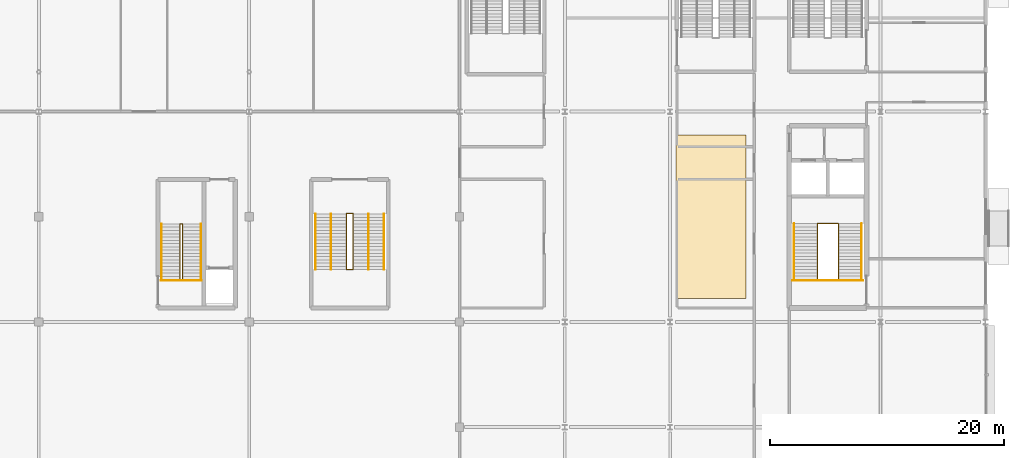
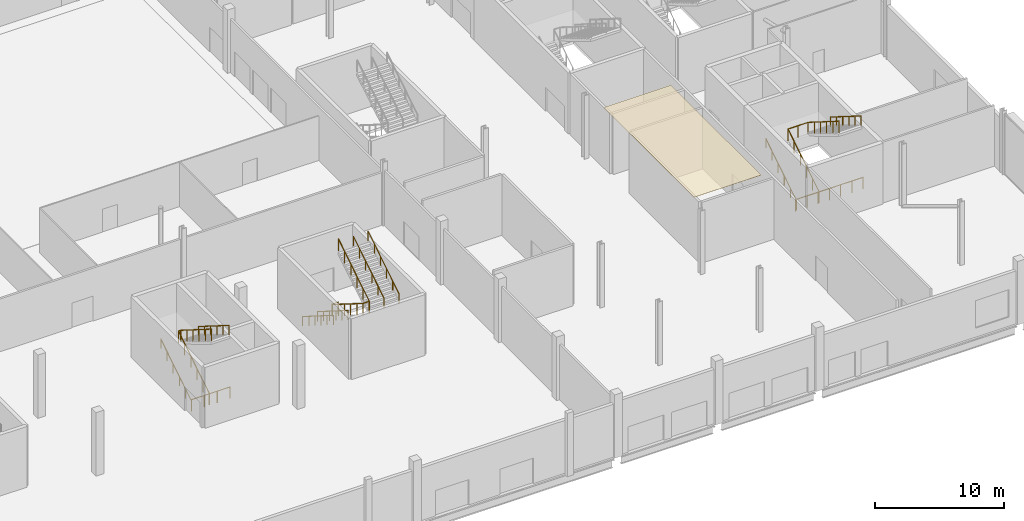
# One storey, part 77 of 84: 14 railings, 1 covering.
"""IFC4 building model written with IfcOpenShell, lengths in metres."""

from ifc_helpers import new_model, si_unit, direction, frame, origin, origin_2d, place, context, subcontext, project, spatial, polyline, circle, outline, extrude, material, layer, layer_set, type_object, element, save


model = new_model("IFC4")

# Units and contexts
model_context = context("Model", 3, precision=1e-05, world=origin(), true_north=direction((0.0, 1.0)))
body_context = subcontext(model_context, "Body", "Model", "MODEL_VIEW")
ifc_project = project(units=[si_unit("LENGTHUNIT", "METRE"), si_unit("AREAUNIT", "SQUARE_METRE"), si_unit("VOLUMEUNIT", "CUBIC_METRE"), si_unit("PLANEANGLEUNIT", "RADIAN"), si_unit("MASSUNIT", "GRAM", prefix="KILO")], contexts=[model_context])

# Site, building, storey
site_placement = place(None, origin())
site = spatial("IfcSite", under=ifc_project, at=site_placement, CompositionType="ELEMENT")
building_placement = place(site_placement, origin())
building = spatial("IfcBuilding", under=site, at=building_placement, Name="Kisiwana Market Hall", CompositionType="ELEMENT")
storey_placement = place(building_placement, origin())
storey = spatial("IfcBuildingStorey", under=building, at=storey_placement, Name="L00", CompositionType="ELEMENT", Elevation=0.0)

# Covering
ifc_material_1 = material(Name="Mineral-fibre acoustic ceiling board")
ifc_layer = layer(ifc_material_1, 0.02490234375)
ifc_layer_set = layer_set([ifc_layer], Name="COV-CEIL-AC")
covering_type = type_object("IfcCoveringType", Name="COV-CEIL-AC", PredefinedType="CEILING", material=ifc_layer_set)
covering_placement = place(storey_placement, frame((0.0, 0.0, 5.72509765625)))
element("IfcCovering", 1, at=covering_placement, inside=storey, type_object=covering_type, Name="Acoustic ceiling grid L00-005", PredefinedType="CEILING", context=body_context, shape_type="SweptSolid", body=[
    extrude(outline(polyline([(171.5, 20.0), (177.5, 20.0), (177.5, 34.0), (171.5, 34.0), (171.5, 20.0)])), origin(), (0.0, 0.0, 1.0), 0.02490234375),
])

# Railings
ifc_material_2 = material(Name="Steel S275", Category="steel")
railing_type_1 = type_object("IfcRailingType", Name="RL-GUARD-1100", PredefinedType="GUARDRAIL", material=ifc_material_2)
railing_1_placement = place(storey_placement, frame((183.60009765625, 21.6494140625, 0.0)))
element("IfcRailing", 2, at=railing_1_placement, inside=storey, type_object=railing_type_1, Name="Stair ST-E2-L00 inner-well guardrail (RL-155)", PredefinedType="GUARDRAIL", context=body_context, shape_type="SweptSolid", body=[
    extrude(circle(Radius=0.02392578125, at=origin_2d()), frame((0.0, 0.0, 1.076171875), z_axis=(0.0, 0.845995810448, 0.533189542944), x_axis=(-1.0, 0.0, 0.0)), (0.0, 0.0, 1.0), 5.62646484375),
    extrude(circle(Radius=0.02392578125, at=origin_2d()), frame((0.0, 4.760009765625, 4.076171875), z_axis=(1.0, 0.0, 0.0), x_axis=(0.0, 1.0, 0.0)), (0.0, 0.0, 1.0), 1.7998046875),
    extrude(circle(Radius=0.02392578125, at=origin_2d()), frame((1.7998046875, 4.760009765625, 4.076171875), z_axis=(0.0, -0.845995810448, 0.533189542944), x_axis=(1.0, 0.0, 0.0)), (0.0, 0.0, 1.0), 5.62646484375),
    extrude(circle(Radius=0.02099609375, at=origin_2d()), origin(), (0.0, 0.0, 1.0), 1.052001953125),
    extrude(circle(Radius=0.02099609375, at=origin_2d()), frame((0.0, 0.951904296875, 0.60009765625)), (0.0, 0.0, 1.0), 1.052001953125),
    extrude(circle(Radius=0.02099609375, at=origin_2d()), frame((0.0, 1.904052734375, 1.199951171875)), (0.0, 0.0, 1.0), 1.052001953125),
    extrude(circle(Radius=0.02099609375, at=origin_2d()), frame((0.0, 2.85595703125, 1.800048828125)), (0.0, 0.0, 1.0), 1.052001953125),
    extrude(circle(Radius=0.02099609375, at=origin_2d()), frame((0.0, 3.80810546875, 2.39990234375)), (0.0, 0.0, 1.0), 1.052001953125),
    extrude(circle(Radius=0.02099609375, at=origin_2d()), frame((0.0, 4.760009765625, 3.0)), (0.0, 0.0, 1.0), 1.052001953125),
    extrude(circle(Radius=0.02099609375, at=origin_2d()), frame((0.89990234375, 4.760009765625, 3.0)), (0.0, 0.0, 1.0), 1.052001953125),
    extrude(circle(Radius=0.02099609375, at=origin_2d()), frame((1.7998046875, 4.760009765625, 3.0)), (0.0, 0.0, 1.0), 1.052001953125),
    extrude(circle(Radius=0.02099609375, at=origin_2d()), frame((1.7998046875, 3.80810546875, 3.60009765625)), (0.0, 0.0, 1.0), 1.052001953125),
    extrude(circle(Radius=0.02099609375, at=origin_2d()), frame((1.7998046875, 2.85595703125, 4.199951171875)), (0.0, 0.0, 1.0), 1.052001953125),
    extrude(circle(Radius=0.02099609375, at=origin_2d()), frame((1.7998046875, 1.904052734375, 4.800048828125)), (0.0, 0.0, 1.0), 1.052001953125),
    extrude(circle(Radius=0.02099609375, at=origin_2d()), frame((1.7998046875, 0.951904296875, 5.39990234375)), (0.0, 0.0, 1.0), 1.052001953125),
    extrude(circle(Radius=0.02099609375, at=origin_2d()), frame((1.7998046875, 0.0, 6.0)), (0.0, 0.0, 1.0), 1.052001953125),
])
railing_2_placement = place(storey_placement, frame((181.47998046875, 21.569580078125, 0.0)))
element("IfcRailing", 3, at=railing_2_placement, inside=storey, type_object=railing_type_1, Name="Stair ST-E2-L00 landing edge guardrail (RL-158)", PredefinedType="GUARDRAIL", context=body_context, shape_type="SweptSolid", body=[
    extrude(circle(Radius=0.02392578125, at=origin_2d()), frame((0.0, 0.0, 1.076171875), z_axis=(1.0, 0.0, 0.0), x_axis=(0.0, 1.0, 0.0)), (0.0, 0.0, 1.0), 6.0400390625),
    extrude(circle(Radius=0.02099609375, at=origin_2d()), origin(), (0.0, 0.0, 1.0), 1.052001953125),
    extrude(circle(Radius=0.02099609375, at=origin_2d()), frame((1.006591796875, 0.0, 0.0)), (0.0, 0.0, 1.0), 1.052001953125),
    extrude(circle(Radius=0.02099609375, at=origin_2d()), frame((2.013427734375, 0.0, 0.0)), (0.0, 0.0, 1.0), 1.052001953125),
    extrude(circle(Radius=0.02099609375, at=origin_2d()), frame((3.02001953125, 0.0, 0.0)), (0.0, 0.0, 1.0), 1.052001953125),
    extrude(circle(Radius=0.02099609375, at=origin_2d()), frame((4.026611328125, 0.0, 0.0)), (0.0, 0.0, 1.0), 1.052001953125),
    extrude(circle(Radius=0.02099609375, at=origin_2d()), frame((5.033447265625, 0.0, 0.0)), (0.0, 0.0, 1.0), 1.052001953125),
    extrude(circle(Radius=0.02099609375, at=origin_2d()), frame((6.0400390625, 0.0, 0.0)), (0.0, 0.0, 1.0), 1.052001953125),
])
railing_3_placement = place(storey_placement, frame((129.080078125, 21.62939453125, 0.0)))
element("IfcRailing", 4, at=railing_3_placement, inside=storey, type_object=railing_type_1, Name="Stair ST-S2-L00 inner-well guardrail (RL-167)", PredefinedType="GUARDRAIL", context=body_context, shape_type="SweptSolid", body=[
    extrude(circle(Radius=0.02392578125, at=origin_2d()), frame((0.0, 0.0, 1.076171875), z_axis=(0.0, 0.845995810448, 0.533189542944), x_axis=(-1.0, 0.0, 0.0)), (0.0, 0.0, 1.0), 5.62646484375),
    extrude(circle(Radius=0.02392578125, at=origin_2d()), frame((0.0, 4.760009765625, 4.076171875), z_axis=(1.0, 0.0, 0.0), x_axis=(0.0, 1.0, 0.0)), (0.0, 0.0, 1.0), 0.199951171875),
    extrude(circle(Radius=0.02392578125, at=origin_2d()), frame((0.199951171875, 4.760009765625, 4.076171875), z_axis=(0.0, -0.845995810448, 0.533189542944), x_axis=(1.0, 0.0, 0.0)), (0.0, 0.0, 1.0), 5.62646484375),
    extrude(circle(Radius=0.02099609375, at=origin_2d()), origin(), (0.0, 0.0, 1.0), 1.052001953125),
    extrude(circle(Radius=0.02099609375, at=origin_2d()), frame((0.0, 0.951904296875, 0.60009765625)), (0.0, 0.0, 1.0), 1.052001953125),
    extrude(circle(Radius=0.02099609375, at=origin_2d()), frame((0.0, 1.904052734375, 1.199951171875)), (0.0, 0.0, 1.0), 1.052001953125),
    extrude(circle(Radius=0.02099609375, at=origin_2d()), frame((0.0, 2.85595703125, 1.800048828125)), (0.0, 0.0, 1.0), 1.052001953125),
    extrude(circle(Radius=0.02099609375, at=origin_2d()), frame((0.0, 3.80810546875, 2.39990234375)), (0.0, 0.0, 1.0), 1.052001953125),
    extrude(circle(Radius=0.02099609375, at=origin_2d()), frame((0.0, 4.760009765625, 3.0)), (0.0, 0.0, 1.0), 1.052001953125),
    extrude(circle(Radius=0.02099609375, at=origin_2d()), frame((0.199951171875, 4.760009765625, 3.0)), (0.0, 0.0, 1.0), 1.052001953125),
    extrude(circle(Radius=0.02099609375, at=origin_2d()), frame((0.199951171875, 3.80810546875, 3.60009765625)), (0.0, 0.0, 1.0), 1.052001953125),
    extrude(circle(Radius=0.02099609375, at=origin_2d()), frame((0.199951171875, 2.85595703125, 4.199951171875)), (0.0, 0.0, 1.0), 1.052001953125),
    extrude(circle(Radius=0.02099609375, at=origin_2d()), frame((0.199951171875, 1.904052734375, 4.800048828125)), (0.0, 0.0, 1.0), 1.052001953125),
    extrude(circle(Radius=0.02099609375, at=origin_2d()), frame((0.199951171875, 0.951904296875, 5.39990234375)), (0.0, 0.0, 1.0), 1.052001953125),
    extrude(circle(Radius=0.02099609375, at=origin_2d()), frame((0.199951171875, 0.0, 6.0)), (0.0, 0.0, 1.0), 1.052001953125),
])
railing_4_placement = place(storey_placement, frame((127.43994140625, 21.569580078125, 0.0)))
element("IfcRailing", 5, at=railing_4_placement, inside=storey, type_object=railing_type_1, Name="Stair ST-S2-L00 landing edge guardrail (RL-170)", PredefinedType="GUARDRAIL", context=body_context, shape_type="SweptSolid", body=[
    extrude(circle(Radius=0.02392578125, at=origin_2d()), frame((0.0, 0.0, 1.076171875), z_axis=(1.0, 0.0, 0.0), x_axis=(0.0, 1.0, 0.0)), (0.0, 0.0, 1.0), 3.47998046875),
    extrude(circle(Radius=0.02099609375, at=origin_2d()), origin(), (0.0, 0.0, 1.0), 1.052001953125),
    extrude(circle(Radius=0.02099609375, at=origin_2d()), frame((1.159912109375, 0.0, 0.0)), (0.0, 0.0, 1.0), 1.052001953125),
    extrude(circle(Radius=0.02099609375, at=origin_2d()), frame((2.320068359375, 0.0, 0.0)), (0.0, 0.0, 1.0), 1.052001953125),
    extrude(circle(Radius=0.02099609375, at=origin_2d()), frame((3.47998046875, 0.0, 0.0)), (0.0, 0.0, 1.0), 1.052001953125),
])
railing_5_placement = place(storey_placement, frame((143.320068359375, 27.239990234375, 0.0)))
element("IfcRailing", 6, at=railing_5_placement, inside=storey, type_object=railing_type_1, Name="Stair ST-S6-L00 inner-well guardrail (RL-299)", PredefinedType="GUARDRAIL", context=body_context, shape_type="SweptSolid", body=[
    extrude(circle(Radius=0.02392578125, at=origin_2d()), frame((0.0, 0.0, 1.076171875), z_axis=(0.0, -0.845995810448, 0.533189542944), x_axis=(1.0, 0.0, 0.0)), (0.0, 0.0, 1.0), 5.62646484375),
    extrude(circle(Radius=0.02392578125, at=origin_2d()), frame((0.0, -4.760009765625, 4.076171875), z_axis=(1.0, 0.0, 0.0), x_axis=(0.0, 1.0, 0.0)), (0.0, 0.0, 1.0), 0.559814453125),
    extrude(circle(Radius=0.02392578125, at=origin_2d()), frame((0.559814453125, -4.760009765625, 4.076171875), z_axis=(0.0, 0.845995810448, 0.533189542944), x_axis=(-1.0, 0.0, 0.0)), (0.0, 0.0, 1.0), 5.62646484375),
    extrude(circle(Radius=0.02099609375, at=origin_2d()), origin(), (0.0, 0.0, 1.0), 1.052001953125),
    extrude(circle(Radius=0.02099609375, at=origin_2d()), frame((0.0, -0.951904296875, 0.60009765625)), (0.0, 0.0, 1.0), 1.052001953125),
    extrude(circle(Radius=0.02099609375, at=origin_2d()), frame((0.0, -1.904052734375, 1.199951171875)), (0.0, 0.0, 1.0), 1.052001953125),
    extrude(circle(Radius=0.02099609375, at=origin_2d()), frame((0.0, -2.85595703125, 1.800048828125)), (0.0, 0.0, 1.0), 1.052001953125),
    extrude(circle(Radius=0.02099609375, at=origin_2d()), frame((0.0, -3.80810546875, 2.39990234375)), (0.0, 0.0, 1.0), 1.052001953125),
    extrude(circle(Radius=0.02099609375, at=origin_2d()), frame((0.0, -4.760009765625, 3.0)), (0.0, 0.0, 1.0), 1.052001953125),
    extrude(circle(Radius=0.02099609375, at=origin_2d()), frame((0.559814453125, -4.760009765625, 3.0)), (0.0, 0.0, 1.0), 1.052001953125),
    extrude(circle(Radius=0.02099609375, at=origin_2d()), frame((0.559814453125, -3.80810546875, 3.60009765625)), (0.0, 0.0, 1.0), 1.052001953125),
    extrude(circle(Radius=0.02099609375, at=origin_2d()), frame((0.559814453125, -2.85595703125, 4.199951171875)), (0.0, 0.0, 1.0), 1.052001953125),
    extrude(circle(Radius=0.02099609375, at=origin_2d()), frame((0.559814453125, -1.904052734375, 4.800048828125)), (0.0, 0.0, 1.0), 1.052001953125),
    extrude(circle(Radius=0.02099609375, at=origin_2d()), frame((0.559814453125, -0.951904296875, 5.39990234375)), (0.0, 0.0, 1.0), 1.052001953125),
    extrude(circle(Radius=0.02099609375, at=origin_2d()), frame((0.559814453125, 0.0, 6.0)), (0.0, 0.0, 1.0), 1.052001953125),
])
railing_6_placement = place(storey_placement, frame((143.320068359375, 27.2900390625, 0.0)))
element("IfcRailing", 7, at=railing_6_placement, inside=storey, type_object=railing_type_1, Name="Stair ST-S6-L00 landing edge guardrail (RL-304)", PredefinedType="GUARDRAIL", context=body_context, shape_type="SweptSolid", body=[
    extrude(circle(Radius=0.02392578125, at=origin_2d()), frame((0.0, 0.0, 1.076171875), z_axis=(1.0, 0.0, 0.0), x_axis=(0.0, 1.0, 0.0)), (0.0, 0.0, 1.0), 0.559814453125),
    extrude(circle(Radius=0.02099609375, at=origin_2d()), origin(), (0.0, 0.0, 1.0), 1.052001953125),
    extrude(circle(Radius=0.02099609375, at=origin_2d()), frame((0.559814453125, 0.0, 0.0)), (0.0, 0.0, 1.0), 1.052001953125),
])
ifc_material_3 = material(Name="Steel S275", Category="steel")
railing_type_2 = type_object("IfcRailingType", Name="RL-HAND-900", PredefinedType="HANDRAIL", material=ifc_material_3)
railing_7_placement = place(storey_placement, frame((181.610107421875, 21.6494140625, 0.0)))
element("IfcRailing", 8, at=railing_7_placement, inside=storey, type_object=railing_type_2, Name="Stair ST-E2-L00 flight 1 handrail (RL-156)", PredefinedType="HANDRAIL", context=body_context, shape_type="SweptSolid", body=[
    extrude(circle(Radius=0.02392578125, at=origin_2d()), frame((0.0, 0.0, 0.8759765625), z_axis=(0.0, 0.845995810448, 0.533189542944), x_axis=(-1.0, 0.0, 0.0)), (0.0, 0.0, 1.0), 5.62646484375),
    extrude(circle(Radius=0.02099609375, at=origin_2d()), origin(), (0.0, 0.0, 1.0), 0.851806640625),
    extrude(circle(Radius=0.02099609375, at=origin_2d()), frame((0.0, 0.951904296875, 0.60009765625)), (0.0, 0.0, 1.0), 0.851806640625),
    extrude(circle(Radius=0.02099609375, at=origin_2d()), frame((0.0, 1.904052734375, 1.199951171875)), (0.0, 0.0, 1.0), 0.851806640625),
    extrude(circle(Radius=0.02099609375, at=origin_2d()), frame((0.0, 2.85595703125, 1.800048828125)), (0.0, 0.0, 1.0), 0.851806640625),
    extrude(circle(Radius=0.02099609375, at=origin_2d()), frame((0.0, 3.80810546875, 2.39990234375)), (0.0, 0.0, 1.0), 0.851806640625),
    extrude(circle(Radius=0.02099609375, at=origin_2d()), frame((0.0, 4.760009765625, 3.0)), (0.0, 0.0, 1.0), 0.851806640625),
])
railing_8_placement = place(storey_placement, frame((187.389892578125, 26.409423828125, 3.0)))
element("IfcRailing", 9, at=railing_8_placement, inside=storey, type_object=railing_type_2, Name="Stair ST-E2-L00 flight 2 handrail (RL-157)", PredefinedType="HANDRAIL", context=body_context, shape_type="SweptSolid", body=[
    extrude(circle(Radius=0.02392578125, at=origin_2d()), frame((0.0, 0.0, 0.8759765625), z_axis=(0.0, -0.845995810448, 0.533189542944), x_axis=(1.0, 0.0, 0.0)), (0.0, 0.0, 1.0), 5.62646484375),
    extrude(circle(Radius=0.02099609375, at=origin_2d()), origin(), (0.0, 0.0, 1.0), 0.851806640625),
    extrude(circle(Radius=0.02099609375, at=origin_2d()), frame((0.0, -0.951904296875, 0.60009765625)), (0.0, 0.0, 1.0), 0.851806640625),
    extrude(circle(Radius=0.02099609375, at=origin_2d()), frame((0.0, -1.904052734375, 1.199951171875)), (0.0, 0.0, 1.0), 0.851806640625),
    extrude(circle(Radius=0.02099609375, at=origin_2d()), frame((0.0, -2.85595703125, 1.800048828125)), (0.0, 0.0, 1.0), 0.851806640625),
    extrude(circle(Radius=0.02099609375, at=origin_2d()), frame((0.0, -3.80810546875, 2.39990234375)), (0.0, 0.0, 1.0), 0.851806640625),
    extrude(circle(Radius=0.02099609375, at=origin_2d()), frame((0.0, -4.760009765625, 3.0)), (0.0, 0.0, 1.0), 0.851806640625),
])
railing_9_placement = place(storey_placement, frame((127.5, 21.62939453125, 0.0)))
element("IfcRailing", 10, at=railing_9_placement, inside=storey, type_object=railing_type_2, Name="Stair ST-S2-L00 flight 1 handrail (RL-168)", PredefinedType="HANDRAIL", context=body_context, shape_type="SweptSolid", body=[
    extrude(circle(Radius=0.02392578125, at=origin_2d()), frame((0.0, 0.0, 0.8759765625), z_axis=(0.0, 0.845995810448, 0.533189542944), x_axis=(-1.0, 0.0, 0.0)), (0.0, 0.0, 1.0), 5.62646484375),
    extrude(circle(Radius=0.02099609375, at=origin_2d()), origin(), (0.0, 0.0, 1.0), 0.851806640625),
    extrude(circle(Radius=0.02099609375, at=origin_2d()), frame((0.0, 0.951904296875, 0.60009765625)), (0.0, 0.0, 1.0), 0.851806640625),
    extrude(circle(Radius=0.02099609375, at=origin_2d()), frame((0.0, 1.904052734375, 1.199951171875)), (0.0, 0.0, 1.0), 0.851806640625),
    extrude(circle(Radius=0.02099609375, at=origin_2d()), frame((0.0, 2.85595703125, 1.800048828125)), (0.0, 0.0, 1.0), 0.851806640625),
    extrude(circle(Radius=0.02099609375, at=origin_2d()), frame((0.0, 3.80810546875, 2.39990234375)), (0.0, 0.0, 1.0), 0.851806640625),
    extrude(circle(Radius=0.02099609375, at=origin_2d()), frame((0.0, 4.760009765625, 3.0)), (0.0, 0.0, 1.0), 0.851806640625),
])
for number, where, name in (
    (11, (130.860107421875, 26.389404296875, 3.0), "Stair ST-S2-L00 flight 2 handrail (RL-169)"),
    (12, (140.669921875, 27.239990234375, 0.0), "Stair ST-S6-L00 flight 1 handrail (RL-300)"),
):
    element("IfcRailing", number, at=place(storey_placement, frame(where)), inside=storey, type_object=railing_type_2, Name=name, PredefinedType="HANDRAIL", context=body_context, shape_type="SweptSolid", body=[
        extrude(circle(Radius=0.02392578125, at=origin_2d()), frame((0.0, 0.0, 0.8759765625), z_axis=(0.0, -0.845995810448, 0.533189542944), x_axis=(1.0, 0.0, 0.0)), (0.0, 0.0, 1.0), 5.62646484375),
        extrude(circle(Radius=0.02099609375, at=origin_2d()), origin(), (0.0, 0.0, 1.0), 0.851806640625),
        extrude(circle(Radius=0.02099609375, at=origin_2d()), frame((0.0, -0.951904296875, 0.60009765625)), (0.0, 0.0, 1.0), 0.851806640625),
        extrude(circle(Radius=0.02099609375, at=origin_2d()), frame((0.0, -1.904052734375, 1.199951171875)), (0.0, 0.0, 1.0), 0.851806640625),
        extrude(circle(Radius=0.02099609375, at=origin_2d()), frame((0.0, -2.85595703125, 1.800048828125)), (0.0, 0.0, 1.0), 0.851806640625),
        extrude(circle(Radius=0.02099609375, at=origin_2d()), frame((0.0, -3.80810546875, 2.39990234375)), (0.0, 0.0, 1.0), 0.851806640625),
        extrude(circle(Radius=0.02099609375, at=origin_2d()), frame((0.0, -4.760009765625, 3.0)), (0.0, 0.0, 1.0), 0.851806640625),
    ])
railing_10_placement = place(storey_placement, frame((146.530029296875, 22.47998046875, 3.0)))
element("IfcRailing", 13, at=railing_10_placement, inside=storey, type_object=railing_type_2, Name="Stair ST-S6-L00 flight 2 handrail (RL-301)", PredefinedType="HANDRAIL", context=body_context, shape_type="SweptSolid", body=[
    extrude(circle(Radius=0.02392578125, at=origin_2d()), frame((0.0, 0.0, 0.8759765625), z_axis=(0.0, 0.845995810448, 0.533189542944), x_axis=(-1.0, 0.0, 0.0)), (0.0, 0.0, 1.0), 5.62646484375),
    extrude(circle(Radius=0.02099609375, at=origin_2d()), origin(), (0.0, 0.0, 1.0), 0.851806640625),
    extrude(circle(Radius=0.02099609375, at=origin_2d()), frame((0.0, 0.951904296875, 0.60009765625)), (0.0, 0.0, 1.0), 0.851806640625),
    extrude(circle(Radius=0.02099609375, at=origin_2d()), frame((0.0, 1.904052734375, 1.199951171875)), (0.0, 0.0, 1.0), 0.851806640625),
    extrude(circle(Radius=0.02099609375, at=origin_2d()), frame((0.0, 2.85595703125, 1.800048828125)), (0.0, 0.0, 1.0), 0.851806640625),
    extrude(circle(Radius=0.02099609375, at=origin_2d()), frame((0.0, 3.80810546875, 2.39990234375)), (0.0, 0.0, 1.0), 0.851806640625),
    extrude(circle(Radius=0.02099609375, at=origin_2d()), frame((0.0, 4.760009765625, 3.0)), (0.0, 0.0, 1.0), 0.851806640625),
])
railing_11_placement = place(storey_placement, frame((141.989990234375, 27.239990234375, 0.0)))
element("IfcRailing", 14, at=railing_11_placement, inside=storey, type_object=railing_type_2, Name="Stair ST-S6-L00 flight 1 intermediate handrail (RL-302)", PredefinedType="HANDRAIL", context=body_context, shape_type="SweptSolid", body=[
    extrude(circle(Radius=0.02392578125, at=origin_2d()), frame((0.0, 0.0, 0.8759765625), z_axis=(0.0, -0.845995810448, 0.533189542944), x_axis=(1.0, 0.0, 0.0)), (0.0, 0.0, 1.0), 5.62646484375),
    extrude(circle(Radius=0.02099609375, at=origin_2d()), origin(), (0.0, 0.0, 1.0), 0.851806640625),
    extrude(circle(Radius=0.02099609375, at=origin_2d()), frame((0.0, -0.951904296875, 0.60009765625)), (0.0, 0.0, 1.0), 0.851806640625),
    extrude(circle(Radius=0.02099609375, at=origin_2d()), frame((0.0, -1.904052734375, 1.199951171875)), (0.0, 0.0, 1.0), 0.851806640625),
    extrude(circle(Radius=0.02099609375, at=origin_2d()), frame((0.0, -2.85595703125, 1.800048828125)), (0.0, 0.0, 1.0), 0.851806640625),
    extrude(circle(Radius=0.02099609375, at=origin_2d()), frame((0.0, -3.80810546875, 2.39990234375)), (0.0, 0.0, 1.0), 0.851806640625),
    extrude(circle(Radius=0.02099609375, at=origin_2d()), frame((0.0, -4.760009765625, 3.0)), (0.0, 0.0, 1.0), 0.851806640625),
])
railing_12_placement = place(storey_placement, frame((145.2099609375, 22.47998046875, 3.0)))
element("IfcRailing", 15, at=railing_12_placement, inside=storey, type_object=railing_type_2, Name="Stair ST-S6-L00 flight 2 intermediate handrail (RL-303)", PredefinedType="HANDRAIL", context=body_context, shape_type="SweptSolid", body=[
    extrude(circle(Radius=0.02392578125, at=origin_2d()), frame((0.0, 0.0, 0.8759765625), z_axis=(0.0, 0.845995810448, 0.533189542944), x_axis=(-1.0, 0.0, 0.0)), (0.0, 0.0, 1.0), 5.62646484375),
    extrude(circle(Radius=0.02099609375, at=origin_2d()), origin(), (0.0, 0.0, 1.0), 0.851806640625),
    extrude(circle(Radius=0.02099609375, at=origin_2d()), frame((0.0, 0.951904296875, 0.60009765625)), (0.0, 0.0, 1.0), 0.851806640625),
    extrude(circle(Radius=0.02099609375, at=origin_2d()), frame((0.0, 1.904052734375, 1.199951171875)), (0.0, 0.0, 1.0), 0.851806640625),
    extrude(circle(Radius=0.02099609375, at=origin_2d()), frame((0.0, 2.85595703125, 1.800048828125)), (0.0, 0.0, 1.0), 0.851806640625),
    extrude(circle(Radius=0.02099609375, at=origin_2d()), frame((0.0, 3.80810546875, 2.39990234375)), (0.0, 0.0, 1.0), 0.851806640625),
    extrude(circle(Radius=0.02099609375, at=origin_2d()), frame((0.0, 4.760009765625, 3.0)), (0.0, 0.0, 1.0), 0.851806640625),
])

save(model, "model.ifc")
